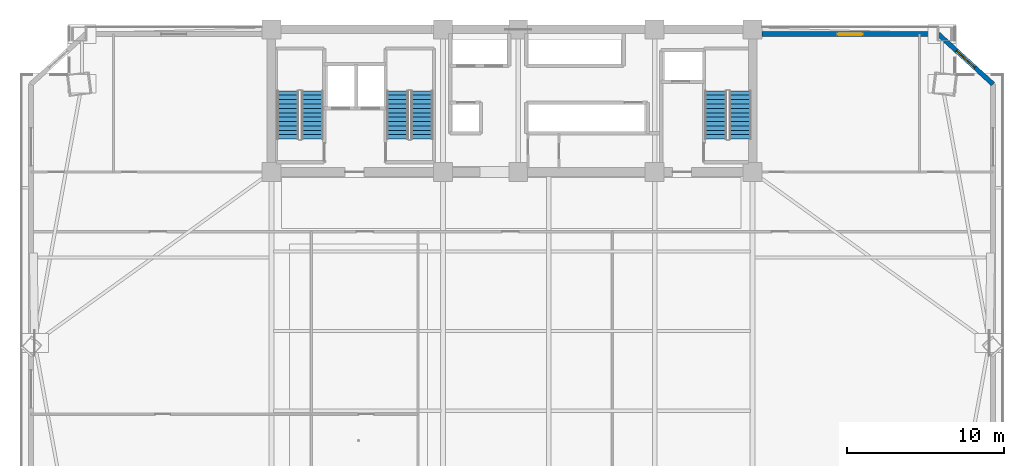
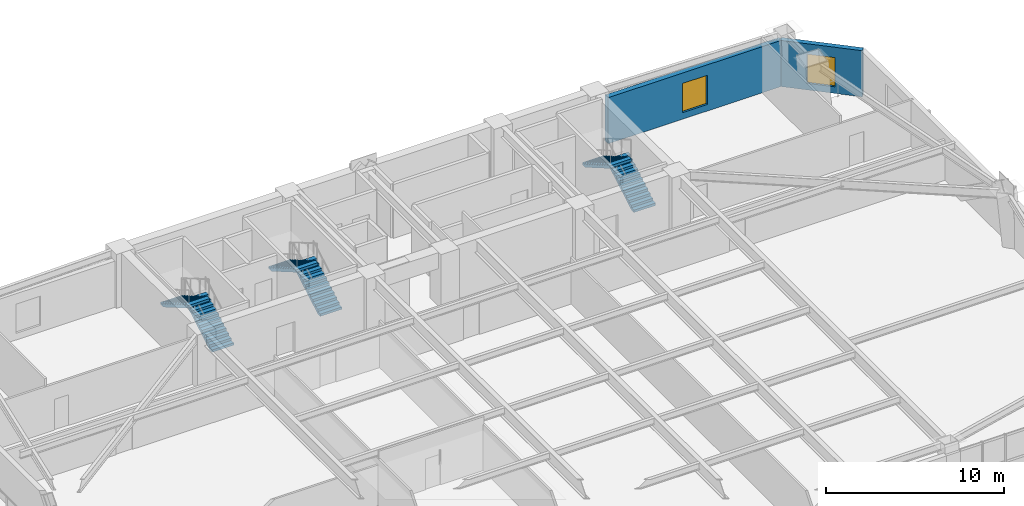
# One storey, part 10 of 15: 6 stair flights, 2 walls, 2 windows, 2 openings, 3 elements without a shape of their own.
"""IFC4 building model written with IfcOpenShell, lengths in metres."""

import ifcopenshell
import ifcopenshell.guid

model = None  # the IFC model being written
_history = None  # IfcOwnerHistory: only IFC2X3 demands one
_inside = {}  # id of a spatial element -> (the spatial element, [elements in it])
_under = {}  # id of a project, library or spatial element -> (it, [spatial elements below it])
_declared = {}  # id of a project -> (the project, [libraries it declares])
_typed = {}  # id of a type object -> (the type object, [elements of that type])
_made_of = {}  # id of a material, layer set ... -> (it, [elements and type objects made of it])


def new_model(schema):
    """Start an empty IFC model of exactly this schema.

    Asked for "IFC4X3", IfcOpenShell would pick the latest addendum, in which some entities
    have other attributes; the version numbers below select the first issue.
    IFC2X3 requires an IfcOwnerHistory on every rooted entity: one is made here for all.
    """
    global model, _history
    if schema == "IFC4X3":
        model = ifcopenshell.file(schema_version=(4, 3, 0, 0))
    else:
        model = ifcopenshell.file(schema=schema)
    _inside.clear()
    _under.clear()
    _declared.clear()
    _typed.clear()
    _made_of.clear()
    _history = None
    if model.schema == "IFC2X3":
        org = make("IfcOrganization", Name="unknown")
        user = make(
            "IfcPersonAndOrganization",
            ThePerson=make("IfcPerson", FamilyName="unknown"),
            TheOrganization=org,
        )
        app = make(
            "IfcApplication",
            ApplicationDeveloper=org,
            Version="unknown",
            ApplicationFullName="unknown",
            ApplicationIdentifier="unknown",
        )
        _history = make(
            "IfcOwnerHistory",
            OwningUser=user,
            OwningApplication=app,
            ChangeAction="ADDED",
            CreationDate=0,
        )
    return model


def make(cls, **values):
    """One entity of the class cls with the attributes given. An attribute that is None is left unset."""
    return model.create_entity(
        cls, **{name: value for name, value in values.items() if value is not None}
    )


def rooted(cls, **values):
    """An entity with a GlobalId (a new one), such as an element, a storey or a relation."""
    return make(cls, GlobalId=ifcopenshell.guid.new(), OwnerHistory=_history, **values)


def si_unit(unit_type, name, prefix=None):
    """IfcSIUnit, for example si_unit("LENGTHUNIT", "METRE", prefix="MILLI")."""
    return make("IfcSIUnit", UnitType=unit_type, Prefix=prefix, Name=name)


def assignment(units):
    """IfcUnitAssignment: the units of a project."""
    return None if units is None else make("IfcUnitAssignment", Units=units)


def point(xyz):
    """IfcCartesianPoint."""
    return None if xyz is None else make("IfcCartesianPoint", Coordinates=xyz)


def direction(xyz):
    """IfcDirection."""
    return None if xyz is None else make("IfcDirection", DirectionRatios=xyz)


def frame(location, z_axis=None, x_axis=None):
    """IfcAxis2Placement3D, a coordinate frame: its origin and axes. An axis left out is left unset."""
    return make(
        "IfcAxis2Placement3D",
        Location=point(location),
        Axis=direction(z_axis),
        RefDirection=direction(x_axis),
    )


def frame_2d(location, x_axis=None):
    """IfcAxis2Placement2D, a coordinate frame in the plane: its origin and x axis."""
    return make(
        "IfcAxis2Placement2D", Location=point(location), RefDirection=direction(x_axis)
    )


def origin():
    """The frame at (0, 0, 0) with its axes left unset."""
    return frame((0.0, 0.0, 0.0))


def place(relative_to, where):
    """IfcLocalPlacement: puts the frame where relative to a parent placement (None: the world)."""
    return make(
        "IfcLocalPlacement", PlacementRelTo=relative_to, RelativePlacement=where
    )


def context(
    kind, dimensions, precision=None, world=None, true_north=None, identifier=None
):
    """IfcGeometricRepresentationContext, for example the 3D "Model" context."""
    return make(
        "IfcGeometricRepresentationContext",
        ContextIdentifier=identifier,
        ContextType=kind,
        CoordinateSpaceDimension=dimensions,
        Precision=precision,
        WorldCoordinateSystem=world,
        TrueNorth=true_north,
    )


def subcontext(parent, identifier, kind, view, scale=None):
    """IfcGeometricRepresentationSubContext, for example "Body" below "Model"."""
    return make(
        "IfcGeometricRepresentationSubContext",
        ContextIdentifier=identifier,
        ContextType=kind,
        ParentContext=parent,
        TargetScale=scale,
        TargetView=view,
    )


def project(units=None, contexts=None):
    """IfcProject with its units and contexts."""
    return rooted(
        "IfcProject",
        Name="project",
        RepresentationContexts=contexts,
        UnitsInContext=assignment(units),
    )


def spatial(cls, under=None, at=None, **own):
    """A site, building, storey or space (cls), placed at a placement, below another one or the project."""
    s = rooted(cls, ObjectPlacement=at, **own)
    if under is not None:
        _under.setdefault(under.id(), (under, []))[1].append(s)
    return s


def polyline(points):
    """IfcPolyline through the points."""
    return make("IfcPolyline", Points=[point(p) for p in points])


def profile(cls, at=None, kind="AREA", **sizes):
    """A parametric profile (cls). Its sizes go by their IFC names, for example OverallWidth=200.0."""
    return make(cls, ProfileType=kind, Position=at, **sizes)


def rectangle(**sizes):
    """IfcRectangleProfileDef."""
    return profile("IfcRectangleProfileDef", **sizes)


def outline(outer, holes=None, kind="AREA"):
    """IfcArbitraryClosedProfileDef: a profile drawn as a closed curve; with holes, ...WithVoids."""
    if holes is None:
        return make("IfcArbitraryClosedProfileDef", ProfileType=kind, OuterCurve=outer)
    return make(
        "IfcArbitraryProfileDefWithVoids",
        ProfileType=kind,
        OuterCurve=outer,
        InnerCurves=holes,
    )


def extrude(swept, where, along, depth):
    """IfcExtrudedAreaSolid: the profile swept, set in the frame where, extruded along a direction by depth."""
    return make(
        "IfcExtrudedAreaSolid",
        SweptArea=swept,
        Position=where,
        ExtrudedDirection=direction(along),
        Depth=depth,
    )


def shape(context_of_items, identifier, shape_type, items):
    """IfcShapeRepresentation: the items that make up one representation, for example the "Body"."""
    return make(
        "IfcShapeRepresentation",
        ContextOfItems=context_of_items,
        RepresentationIdentifier=identifier,
        RepresentationType=shape_type,
        Items=items,
    )


def source(mapping_origin, context_of_items, identifier, shape_type, items):
    """IfcRepresentationMap: a shape defined once, which mapped items show again and again."""
    return make(
        "IfcRepresentationMap",
        MappingOrigin=mapping_origin,
        MappedRepresentation=shape(context_of_items, identifier, shape_type, items),
    )


def transform(
    local_origin,
    x_axis=None,
    y_axis=None,
    z_axis=None,
    scale=None,
    scale2=None,
    scale3=None,
    uniform=True,
):
    """IfcCartesianTransformationOperator3D, or its non-uniform kind. x_axis, y_axis, z_axis: its Axis1, 2, 3."""
    if uniform:
        return make(
            "IfcCartesianTransformationOperator3D",
            Axis1=direction(x_axis),
            Axis2=direction(y_axis),
            LocalOrigin=point(local_origin),
            Scale=scale,
            Axis3=direction(z_axis),
        )
    return make(
        "IfcCartesianTransformationOperator3DnonUniform",
        Axis1=direction(x_axis),
        Axis2=direction(y_axis),
        LocalOrigin=point(local_origin),
        Scale=scale,
        Axis3=direction(z_axis),
        Scale2=scale2,
        Scale3=scale3,
    )


def mapped(mapping_source, mapping_target):
    """IfcMappedItem: shows the shape of a source again, moved by a transform."""
    return make(
        "IfcMappedItem", MappingSource=mapping_source, MappingTarget=mapping_target
    )


def material(Name=None, Category=None):
    """IfcMaterial."""
    return make("IfcMaterial", Name=Name, Category=Category)


def layer(
    of_material, thickness, ventilated=None, Name=None, Category=None, Priority=None
):
    """IfcMaterialLayer: one layer of a wall or slab, of a material (None: an air gap)."""
    return make(
        "IfcMaterialLayer",
        Material=of_material,
        LayerThickness=thickness,
        IsVentilated=ventilated,
        Name=Name,
        Category=Category,
        Priority=Priority,
    )


def layer_set(layers, Name=None):
    """IfcMaterialLayerSet."""
    return make("IfcMaterialLayerSet", MaterialLayers=layers, LayerSetName=Name)


def made_of(thing, what):
    """Note that an element or type object is made of a material, layer set ...; save() writes the relation."""
    if what is not None:
        _made_of.setdefault(what.id(), (what, []))[1].append(thing)
    return thing


def type_object(cls, material=None, **own):
    """A type object (cls), such as IfcWallType, which elements share."""
    return made_of(rooted(cls, **own), material)


def element(
    cls,
    number,
    at=None,
    inside=None,
    cuts=None,
    type_object=None,
    material=None,
    context=None,
    identifier="Body",
    shape_type=None,
    held_by="IfcProductDefinitionShape",
    body=None,
    shapes=None,
    **own,
):
    """One element of the class cls, such as IfcWall. Its Tag is "e" and its number.

    at: its placement. inside: the storey or other place that contains it. cuts: it is an
    opening in that element (IfcRelVoidsElement). A single representation is given by context,
    identifier, shape_type and body (its items); several are given by shapes. held_by: the class
    of the entity that holds the representations. save() writes the other relations.
    """
    e = rooted(cls, Tag="e%d" % number, ObjectPlacement=at, **own)
    if body is not None:
        shapes = [shape(context, identifier, shape_type, body)]
    if shapes is not None:
        e.Representation = make(held_by, Representations=shapes)
    if inside is not None:
        _inside.setdefault(inside.id(), (inside, []))[1].append(e)
    if cuts is not None:
        rooted(
            "IfcRelVoidsElement", RelatingBuildingElement=cuts, RelatedOpeningElement=e
        )
    if type_object is not None:
        _typed.setdefault(type_object.id(), (type_object, []))[1].append(e)
    return made_of(e, material)


def fill(opening, filler):
    """IfcRelFillsElement: the door or window that sits in an opening."""
    return rooted(
        "IfcRelFillsElement",
        RelatingOpeningElement=opening,
        RelatedBuildingElement=filler,
    )


def aggregate(whole, parts):
    """IfcRelAggregates: a whole, such as a stair, and the parts it consists of."""
    return rooted("IfcRelAggregates", RelatingObject=whole, RelatedObjects=parts)


def save(model, path):
    """Write the relations noted so far, then the file.

    IfcRelAggregates (storeys below a building ...), IfcRelContainedInSpatialStructure (elements
    in a storey), IfcRelDefinesByType, IfcRelAssociatesMaterial and IfcRelDeclares: one each for
    every whole, place, type object, material and project.
    """
    for whole, parts in _under.values():
        aggregate(whole, parts)
    for where, things in _inside.values():
        rooted(
            "IfcRelContainedInSpatialStructure",
            RelatedElements=things,
            RelatingStructure=where,
        )
    for kind, things in _typed.values():
        rooted("IfcRelDefinesByType", RelatedObjects=things, RelatingType=kind)
    for what, things in _made_of.values():
        rooted("IfcRelAssociatesMaterial", RelatedObjects=things, RelatingMaterial=what)
    for by, libraries in _declared.values():
        rooted("IfcRelDeclares", RelatingContext=by, RelatedDefinitions=libraries)
    model.write(path)


model = new_model("IFC4")

# Units and contexts
model_context = context("Model", 3, precision=1e-05, world=origin(), true_north=direction((0.0, 1.0)))
body_context = subcontext(model_context, "Body", "Model", "MODEL_VIEW")
ifc_project = project(units=[si_unit("LENGTHUNIT", "METRE"), si_unit("AREAUNIT", "SQUARE_METRE"), si_unit("VOLUMEUNIT", "CUBIC_METRE"), si_unit("PLANEANGLEUNIT", "RADIAN"), si_unit("MASSUNIT", "GRAM", prefix="KILO")], contexts=[model_context])

# Site, building, storey
site_placement = place(None, origin())
site = spatial("IfcSite", under=ifc_project, at=site_placement, CompositionType="ELEMENT")
building_placement = place(site_placement, origin())
building = spatial("IfcBuilding", under=site, at=building_placement, Name="Giltprow Tower", CompositionType="ELEMENT")
storey_placement = place(building_placement, frame((0.0, 0.0, 107.5)))
storey = spatial("IfcBuildingStorey", under=building, at=storey_placement, Name="L26", CompositionType="ELEMENT", Elevation=107.5)

# Wall, opening, window
ifc_material_1 = material(Name="Precast concrete C40", Category="concrete")
ifc_layer_1 = layer(ifc_material_1, 0.300048828125, Name="Precast concrete C40")
ifc_layer_set_1 = layer_set([ifc_layer_1], Name="Precast concrete C40")
wall_type_1 = type_object("IfcWallType", Name="EW-NOTCH-CHAMFER-300", PredefinedType="SOLIDWALL", material=ifc_layer_set_1)
wall_1_placement = place(storey_placement, frame((65.89111328125, 43.055908203125, 0.0), z_axis=(0.0, 0.0, 1.0), x_axis=(-0.737992850114, 0.674808530755, 0.0)))
wall_1 = element("IfcWall", 1, at=wall_1_placement, inside=storey, type_object=wall_type_1, Name="L26 Corner Notch Wall NE", PredefinedType="SOLIDWALL", context=body_context, shape_type="SweptSolid", body=[
    extrude(rectangle(XDim=4.7333984375, YDim=0.300048828125, at=frame_2d((2.36669921875, 0.0))), origin(), (0.0, 0.0, 1.0), 3.159912109375),
])
opening_1_placement = place(wall_1_placement, frame((1.56689453125, 0.0, 0.449951171875)))
opening_1 = element("IfcOpeningElement", 2, at=opening_1_placement, cuts=wall_1, Name="Opening WN17", PredefinedType="OPENING", context=body_context, shape_type="SweptSolid", body=[
    extrude(rectangle(XDim=1.60009765625, YDim=2.0, at=frame_2d((0.800048828125, 1.0))), frame((0.0, 0.159912109375, 0.0), z_axis=(0.0, -1.0, 0.0), x_axis=(1.0, 0.0, 0.0)), (0.0, 0.0, 1.0), 0.320068359375),
])
ifc_material_2 = material(Name="Insulated glass", Category="glass")
window_type = type_object("IfcWindowType", Name="WN-COR-1600x2000", PartitioningType="SINGLE_PANEL", PredefinedType="WINDOW", material=ifc_material_2)
shared_shape = source(origin(), body_context, "Body", "SweptSolid", [
    extrude(rectangle(XDim=1.60009765625, YDim=2.0, at=frame_2d((0.800048828125, 1.0))), frame((0.0, 0.030029296875, 0.0), z_axis=(0.0, -1.0, 0.0), x_axis=(1.0, 0.0, 0.0)), (0.0, 0.0, 1.0), 0.06005859375),
])
window_1_placement = place(opening_1_placement, origin())
window_1 = element("IfcWindow", 3, at=window_1_placement, inside=storey, type_object=window_type, Name="L26 Corner Notch Window NE", OverallHeight=2.0, OverallWidth=1.60009765625, PartitioningType="SINGLE_PANEL", PredefinedType="WINDOW", context=body_context, shape_type="MappedRepresentation", body=[
    mapped(shared_shape, transform((0.0, 0.0, 0.0), x_axis=(1.0, 0.0, 0.0), y_axis=(0.0, 1.0, 0.0), z_axis=(0.0, 0.0, 1.0), scale=1.0)),
])
fill(opening_1, window_1)

ifc_layer_2 = layer(ifc_material_1, 0.320068359375, Name="Precast concrete C40")
ifc_layer_set_2 = layer_set([ifc_layer_2], Name="Precast concrete C40")
wall_type_2 = type_object("IfcWallType", Name="EW-TOW-STONE-320", PredefinedType="SOLIDWALL", material=ifc_layer_set_2)
wall_2_placement = place(storey_placement, frame((51.14990234375, 46.25, 0.0), z_axis=(0.0, 0.0, 1.0), x_axis=(1.0, 0.0, 0.0)))
wall_2 = element("IfcWall", 4, at=wall_2_placement, inside=storey, type_object=wall_type_2, Name="L26 North-East Wing Wall", PredefinedType="SOLIDWALL", context=body_context, shape_type="SweptSolid", body=[
    extrude(rectangle(XDim=11.248046875, YDim=0.320068359375, at=frame_2d((5.6240234375, 0.0))), origin(), (0.0, 0.0, 1.0), 3.159912109375),
])
opening_2_placement = place(wall_2_placement, frame((4.823974609375, 0.0, 0.449951171875)))
opening_2 = element("IfcOpeningElement", 5, at=opening_2_placement, cuts=wall_2, Name="Opening WN17", PredefinedType="OPENING", context=body_context, shape_type="SweptSolid", body=[
    extrude(rectangle(XDim=1.60009765625, YDim=2.0, at=frame_2d((0.800048828125, 1.0))), frame((0.0, 0.169921875, 0.0), z_axis=(0.0, -1.0, 0.0), x_axis=(1.0, 0.0, 0.0)), (0.0, 0.0, 1.0), 0.340087890625),
])
window_2_placement = place(opening_2_placement, origin())
window_2 = element("IfcWindow", 6, at=window_2_placement, inside=storey, type_object=window_type, Name="L26 North-East Window", OverallHeight=2.0, OverallWidth=1.60009765625, PartitioningType="SINGLE_PANEL", PredefinedType="WINDOW", context=body_context, shape_type="MappedRepresentation", body=[
    mapped(shared_shape, transform((0.0, 0.0, 0.0), x_axis=(1.0, 0.0, 0.0), y_axis=(0.0, 1.0, 0.0), z_axis=(0.0, 0.0, 1.0), scale=1.0)),
])
fill(opening_2, window_2)

# Stair, stair flights
ifc_material_3 = material(Name="Concrete C40", Category="concrete")
stair_type_1 = type_object("IfcStairType", Name="STR-ST-1", PredefinedType="HALF_TURN_STAIR", material=ifc_material_3)
stair_1_placement = place(storey_placement, origin())
stair_1 = element("IfcStair", 7, at=stair_1_placement, inside=storey, type_object=stair_type_1, Name="L26 Core Exit Stair ST-1", PredefinedType="HALF_TURN_STAIR")
stair_flight_type_1 = type_object("IfcStairFlightType", Name="SFL-ST-1", PredefinedType="STRAIGHT", material=ifc_material_3)
stair_flight_1_placement = place(storey_placement, frame((22.4599609375, 39.550048828125, 0.0), z_axis=(0.0, 0.0, 1.0), x_axis=(0.0, 1.0, 0.0)))
stair_flight_1 = element("IfcStairFlight", 8, at=stair_flight_1_placement, type_object=stair_flight_type_1, Name="ST-1 flight 1", NumberOfRisers=12, NumberOfTreads=11, PredefinedType="STRAIGHT", RiserHeight=0.1625, TreadLength=0.28, context=body_context, shape_type="SweptSolid", body=[
    extrude(outline(polyline([(0.0, 0.0), (0.0, 0.16259765625), (0.280029296875, 0.16259765625), (0.280029296875, 0.324951171875), (0.56005859375, 0.324951171875), (0.56005859375, 0.487548828125), (0.840087890625, 0.487548828125), (0.840087890625, 0.64990234375), (1.1201171875, 0.64990234375), (1.1201171875, 0.8125), (1.39990234375, 0.8125), (1.39990234375, 0.97509765625), (1.679931640625, 0.97509765625), (1.679931640625, 1.137451171875), (1.9599609375, 1.137451171875), (1.9599609375, 1.300048828125), (2.239990234375, 1.300048828125), (2.239990234375, 1.46240234375), (2.52001953125, 1.46240234375), (2.52001953125, 1.625), (2.800048828125, 1.625), (2.800048828125, 1.78759765625), (3.080078125, 1.78759765625), (3.080078125, 1.949951171875), (3.080078125, 1.6142578125), (0.298583984375, 0.0), (0.0, 0.0)])), frame((0.0, 0.699951171875, 0.0), z_axis=(0.0, -1.0, 0.0), x_axis=(1.0, 0.0, 0.0)), (0.0, 0.0, 1.0), 1.39990234375),
])
stair_flight_2_placement = place(storey_placement, frame((20.89990234375, 42.6298828125, 1.949951171875), z_axis=(0.0, 0.0, 1.0), x_axis=(0.0, -1.0, 0.0)))
stair_flight_2 = element("IfcStairFlight", 9, at=stair_flight_2_placement, type_object=stair_flight_type_1, Name="ST-1 flight 2", NumberOfRisers=12, NumberOfTreads=11, PredefinedType="STRAIGHT", RiserHeight=0.1625, TreadLength=0.28, context=body_context, shape_type="SweptSolid", body=[
    extrude(outline(polyline([(0.0, 0.0), (0.0, 0.16259765625), (0.280029296875, 0.16259765625), (0.280029296875, 0.324951171875), (0.56005859375, 0.324951171875), (0.56005859375, 0.487548828125), (0.840087890625, 0.487548828125), (0.840087890625, 0.64990234375), (1.1201171875, 0.64990234375), (1.1201171875, 0.8125), (1.39990234375, 0.8125), (1.39990234375, 0.97509765625), (1.679931640625, 0.97509765625), (1.679931640625, 1.137451171875), (1.9599609375, 1.137451171875), (1.9599609375, 1.300048828125), (2.239990234375, 1.300048828125), (2.239990234375, 1.46240234375), (2.52001953125, 1.46240234375), (2.52001953125, 1.625), (2.800048828125, 1.625), (2.800048828125, 1.78759765625), (3.080078125, 1.78759765625), (3.080078125, 1.949951171875), (3.080078125, 1.6142578125), (0.298583984375, 0.0), (0.0, 0.0)])), frame((0.0, 0.699951171875, 0.0), z_axis=(0.0, -1.0, 0.0), x_axis=(1.0, 0.0, 0.0)), (0.0, 0.0, 1.0), 1.39990234375),
])
aggregate(stair_1, [stair_flight_1, stair_flight_2])

stair_type_2 = type_object("IfcStairType", Name="STR-ST-2", PredefinedType="HALF_TURN_STAIR", material=ifc_material_3)
stair_2_placement = place(storey_placement, origin())
stair_2 = element("IfcStair", 10, at=stair_2_placement, inside=storey, type_object=stair_type_2, Name="L26 Core Exit Stair ST-2", PredefinedType="HALF_TURN_STAIR")
stair_flight_type_2 = type_object("IfcStairFlightType", Name="SFL-ST-2", PredefinedType="STRAIGHT", material=ifc_material_3)
stair_flight_3_placement = place(storey_placement, frame((29.4599609375, 39.550048828125, 0.0), z_axis=(0.0, 0.0, 1.0), x_axis=(0.0, 1.0, 0.0)))
stair_flight_3 = element("IfcStairFlight", 11, at=stair_flight_3_placement, type_object=stair_flight_type_2, Name="ST-2 flight 1", NumberOfRisers=12, NumberOfTreads=11, PredefinedType="STRAIGHT", RiserHeight=0.1625, TreadLength=0.28, context=body_context, shape_type="SweptSolid", body=[
    extrude(outline(polyline([(0.0, 0.0), (0.0, 0.16259765625), (0.280029296875, 0.16259765625), (0.280029296875, 0.324951171875), (0.56005859375, 0.324951171875), (0.56005859375, 0.487548828125), (0.840087890625, 0.487548828125), (0.840087890625, 0.64990234375), (1.1201171875, 0.64990234375), (1.1201171875, 0.8125), (1.39990234375, 0.8125), (1.39990234375, 0.97509765625), (1.679931640625, 0.97509765625), (1.679931640625, 1.137451171875), (1.9599609375, 1.137451171875), (1.9599609375, 1.300048828125), (2.239990234375, 1.300048828125), (2.239990234375, 1.46240234375), (2.52001953125, 1.46240234375), (2.52001953125, 1.625), (2.800048828125, 1.625), (2.800048828125, 1.78759765625), (3.080078125, 1.78759765625), (3.080078125, 1.949951171875), (3.080078125, 1.6142578125), (0.298583984375, 0.0), (0.0, 0.0)])), frame((0.0, 0.699951171875, 0.0), z_axis=(0.0, -1.0, 0.0), x_axis=(1.0, 0.0, 0.0)), (0.0, 0.0, 1.0), 1.39990234375),
])
stair_flight_4_placement = place(storey_placement, frame((27.89990234375, 42.6298828125, 1.949951171875), z_axis=(0.0, 0.0, 1.0), x_axis=(0.0, -1.0, 0.0)))
stair_flight_4 = element("IfcStairFlight", 12, at=stair_flight_4_placement, type_object=stair_flight_type_2, Name="ST-2 flight 2", NumberOfRisers=12, NumberOfTreads=11, PredefinedType="STRAIGHT", RiserHeight=0.1625, TreadLength=0.28, context=body_context, shape_type="SweptSolid", body=[
    extrude(outline(polyline([(0.0, 0.0), (0.0, 0.16259765625), (0.280029296875, 0.16259765625), (0.280029296875, 0.324951171875), (0.56005859375, 0.324951171875), (0.56005859375, 0.487548828125), (0.840087890625, 0.487548828125), (0.840087890625, 0.64990234375), (1.1201171875, 0.64990234375), (1.1201171875, 0.8125), (1.39990234375, 0.8125), (1.39990234375, 0.97509765625), (1.679931640625, 0.97509765625), (1.679931640625, 1.137451171875), (1.9599609375, 1.137451171875), (1.9599609375, 1.300048828125), (2.239990234375, 1.300048828125), (2.239990234375, 1.46240234375), (2.52001953125, 1.46240234375), (2.52001953125, 1.625), (2.800048828125, 1.625), (2.800048828125, 1.78759765625), (3.080078125, 1.78759765625), (3.080078125, 1.949951171875), (3.080078125, 1.6142578125), (0.298583984375, 0.0), (0.0, 0.0)])), frame((0.0, 0.699951171875, 0.0), z_axis=(0.0, -1.0, 0.0), x_axis=(1.0, 0.0, 0.0)), (0.0, 0.0, 1.0), 1.39990234375),
])
aggregate(stair_2, [stair_flight_3, stair_flight_4])

stair_type_3 = type_object("IfcStairType", Name="STR-ST-3", PredefinedType="HALF_TURN_STAIR", material=ifc_material_3)
stair_3_placement = place(storey_placement, origin())
stair_3 = element("IfcStair", 13, at=stair_3_placement, inside=storey, type_object=stair_type_3, Name="L26 Core Exit Stair ST-3", PredefinedType="HALF_TURN_STAIR")
stair_flight_type_3 = type_object("IfcStairFlightType", Name="SFL-ST-3", PredefinedType="STRAIGHT", material=ifc_material_3)
stair_flight_5_placement = place(storey_placement, frame((49.760009765625, 39.550048828125, 0.0), z_axis=(0.0, 0.0, 1.0), x_axis=(0.0, 1.0, 0.0)))
stair_flight_5 = element("IfcStairFlight", 14, at=stair_flight_5_placement, type_object=stair_flight_type_3, Name="ST-3 flight 1", NumberOfRisers=12, NumberOfTreads=11, PredefinedType="STRAIGHT", RiserHeight=0.1625, TreadLength=0.28, context=body_context, shape_type="SweptSolid", body=[
    extrude(outline(polyline([(0.0, 0.0), (0.0, 0.16259765625), (0.280029296875, 0.16259765625), (0.280029296875, 0.324951171875), (0.56005859375, 0.324951171875), (0.56005859375, 0.487548828125), (0.840087890625, 0.487548828125), (0.840087890625, 0.64990234375), (1.1201171875, 0.64990234375), (1.1201171875, 0.8125), (1.39990234375, 0.8125), (1.39990234375, 0.97509765625), (1.679931640625, 0.97509765625), (1.679931640625, 1.137451171875), (1.9599609375, 1.137451171875), (1.9599609375, 1.300048828125), (2.239990234375, 1.300048828125), (2.239990234375, 1.46240234375), (2.52001953125, 1.46240234375), (2.52001953125, 1.625), (2.800048828125, 1.625), (2.800048828125, 1.78759765625), (3.080078125, 1.78759765625), (3.080078125, 1.949951171875), (3.080078125, 1.6142578125), (0.298583984375, 0.0), (0.0, 0.0)])), frame((0.0, 0.699951171875, 0.0), z_axis=(0.0, -1.0, 0.0), x_axis=(1.0, 0.0, 0.0)), (0.0, 0.0, 1.0), 1.39990234375),
])
stair_flight_6_placement = place(storey_placement, frame((48.199951171875, 42.6298828125, 1.949951171875), z_axis=(0.0, 0.0, 1.0), x_axis=(0.0, -1.0, 0.0)))
stair_flight_6 = element("IfcStairFlight", 15, at=stair_flight_6_placement, type_object=stair_flight_type_3, Name="ST-3 flight 2", NumberOfRisers=12, NumberOfTreads=11, PredefinedType="STRAIGHT", RiserHeight=0.1625, TreadLength=0.28, context=body_context, shape_type="SweptSolid", body=[
    extrude(outline(polyline([(0.0, 0.0), (0.0, 0.16259765625), (0.280029296875, 0.16259765625), (0.280029296875, 0.324951171875), (0.56005859375, 0.324951171875), (0.56005859375, 0.487548828125), (0.840087890625, 0.487548828125), (0.840087890625, 0.64990234375), (1.1201171875, 0.64990234375), (1.1201171875, 0.8125), (1.39990234375, 0.8125), (1.39990234375, 0.97509765625), (1.679931640625, 0.97509765625), (1.679931640625, 1.137451171875), (1.9599609375, 1.137451171875), (1.9599609375, 1.300048828125), (2.239990234375, 1.300048828125), (2.239990234375, 1.46240234375), (2.52001953125, 1.46240234375), (2.52001953125, 1.625), (2.800048828125, 1.625), (2.800048828125, 1.78759765625), (3.080078125, 1.78759765625), (3.080078125, 1.949951171875), (3.080078125, 1.6142578125), (0.298583984375, 0.0), (0.0, 0.0)])), frame((0.0, 0.699951171875, 0.0), z_axis=(0.0, -1.0, 0.0), x_axis=(1.0, 0.0, 0.0)), (0.0, 0.0, 1.0), 1.39990234375),
])
aggregate(stair_3, [stair_flight_5, stair_flight_6])

save(model, "model.ifc")
